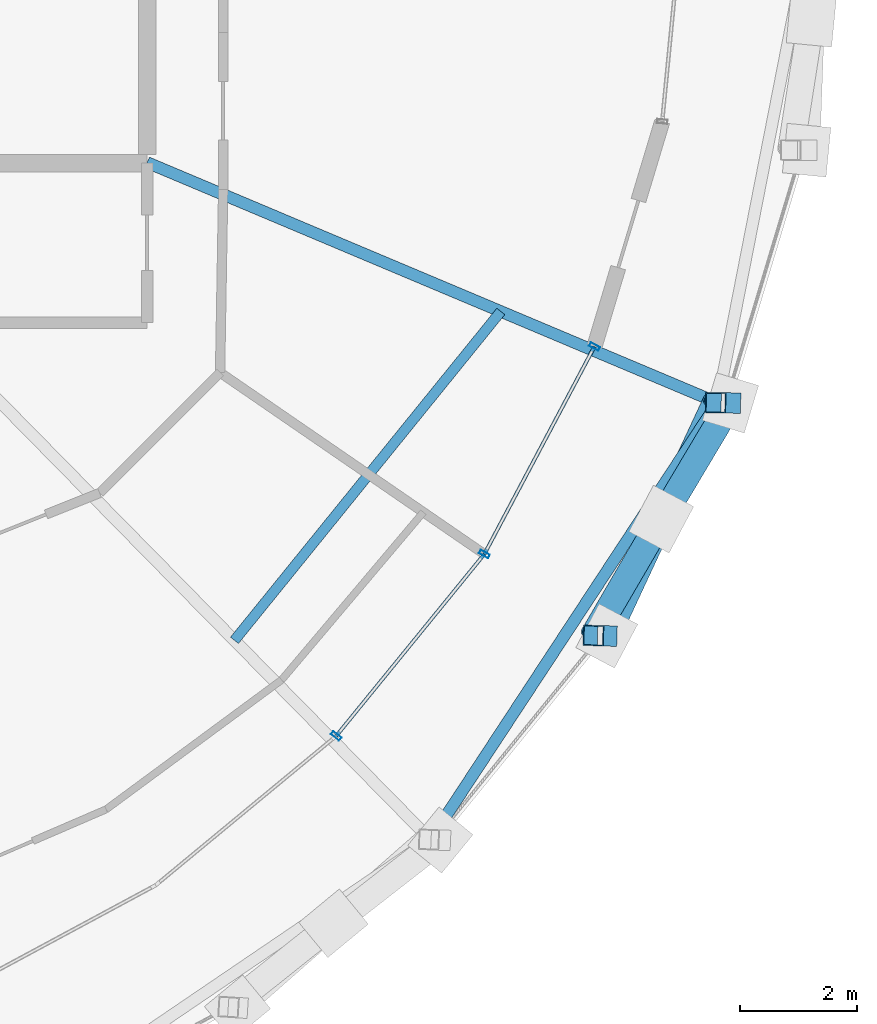
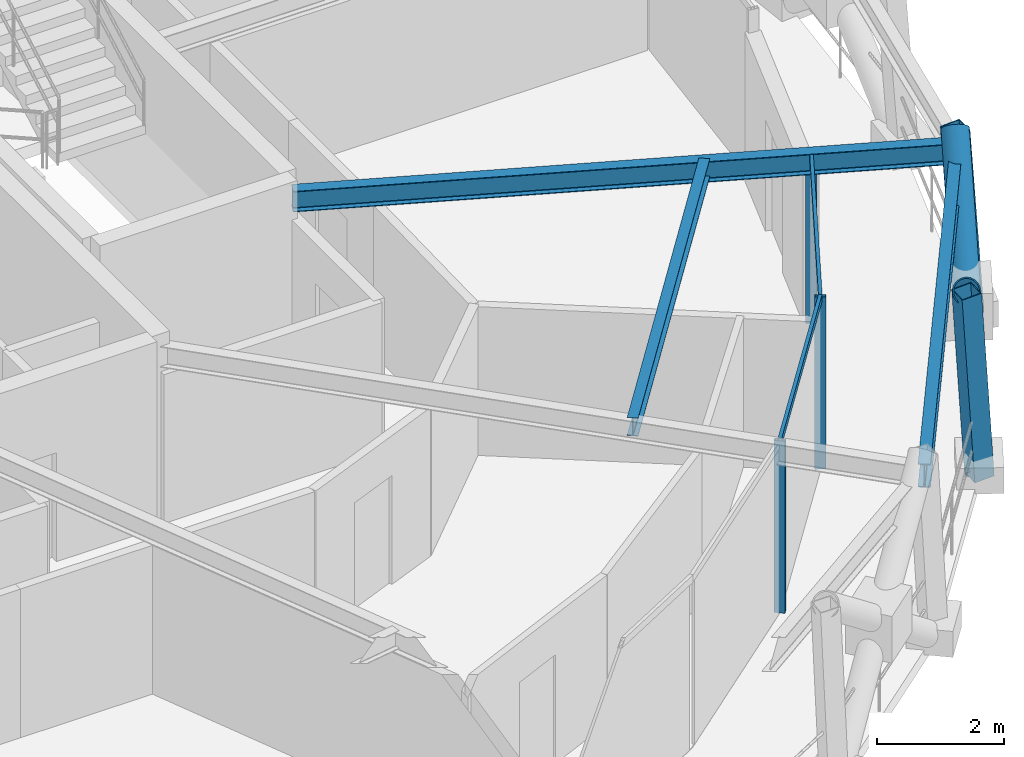
# One storey, part 4 of 15: 10 members, 3 beams, 1 element without a shape of its own.
"""IFC4 building model written with IfcOpenShell, lengths in metres."""

from ifc_helpers import new_model, si_unit, direction, frame, origin, origin_2d, place, context, subcontext, project, spatial, hollow_rectangle, hollow_circle, i_section, extrude, material, layer, layer_set, material_profile, profile_set, type_object, element, aggregate, save


model = new_model("IFC4")

# Units and contexts
model_context = context("Model", 3, precision=1e-05, world=origin(), true_north=direction((0.0, 1.0)))
body_context = subcontext(model_context, "Body", "Model", "MODEL_VIEW")
ifc_project = project(units=[si_unit("LENGTHUNIT", "METRE"), si_unit("AREAUNIT", "SQUARE_METRE"), si_unit("VOLUMEUNIT", "CUBIC_METRE"), si_unit("PLANEANGLEUNIT", "RADIAN"), si_unit("MASSUNIT", "GRAM", prefix="KILO")], contexts=[model_context])

# Site, building, storey
site_placement = place(None, origin())
site = spatial("IfcSite", under=ifc_project, at=site_placement, CompositionType="ELEMENT")
building_placement = place(site_placement, origin())
building = spatial("IfcBuilding", under=site, at=building_placement, Name="Veldorina Hangang Commons", CompositionType="ELEMENT")
storey_placement = place(building_placement, frame((0.0, 0.0, 250.800048828125)))
storey = spatial("IfcBuildingStorey", under=building, at=storey_placement, Name="L65", CompositionType="ELEMENT", Elevation=250.800048828125)

# Beams
ifc_material_1 = material(Name="Steel SM355-TMC", Category="steel")
ifc_material_profile_1 = material_profile(ifc_material_1, i_section(OverallWidth=0.199951171875, OverallDepth=0.39990234375, WebThickness=0.008056640625, FlangeThickness=0.012939453125, FilletRadius=0.012939453125, at=origin_2d()), Name="H-400x200x8x13")
ifc_profile_set_1 = profile_set([ifc_material_profile_1], Name="Steel SM355-TMC")
beam_type_1 = type_object("IfcBeamType", Name="BM-FG400", PredefinedType="BEAM", material=ifc_profile_set_1)
beam_1_placement = place(storey_placement, frame((43.179931640625, 19.291015625, 3.159912109375), z_axis=(0.921597617778, -0.388146661594, 0.0), x_axis=(0.388146661594, 0.921597617778, 0.0)))
element("IfcBeam", 1, at=beam_1_placement, inside=storey, type_object=beam_type_1, Name="L65 radial floor girder 16", PredefinedType="BEAM", context=body_context, shape_type="SweptSolid", body=[
    extrude(i_section(OverallWidth=0.199951171875, OverallDepth=0.39990234375, WebThickness=0.008056640625, FlangeThickness=0.012939453125, FilletRadius=0.012939453125, at=origin_2d()), origin(), (0.0, 0.0, 1.0), 10.59033203125),
])
ifc_material_profile_2 = material_profile(ifc_material_1, i_section(OverallWidth=0.175048828125, OverallDepth=0.35009765625, WebThickness=0.007080078125, FlangeThickness=0.010986328125, FilletRadius=0.012939453125, at=origin_2d()), Name="H-350x175x7x11")
ifc_profile_set_2 = profile_set([ifc_material_profile_2], Name="Steel SM355-TMC")
beam_type_2 = type_object("IfcBeamType", Name="BM-JST350", PredefinedType="JOIST", material=ifc_profile_set_2)
beam_2_placement = place(storey_placement, frame((44.672607421875, 11.114013671875, 3.18505859375), z_axis=(0.62938632576, 0.77709256395, 0.0), x_axis=(-0.77709256395, 0.62938632576, 0.0)))
element("IfcBeam", 2, at=beam_2_placement, inside=storey, type_object=beam_type_2, Name="L65 secondary floor joist 15", PredefinedType="JOIST", context=body_context, shape_type="SweptSolid", body=[
    extrude(i_section(OverallWidth=0.175048828125, OverallDepth=0.35009765625, WebThickness=0.007080078125, FlangeThickness=0.010986328125, FilletRadius=0.012939453125, at=origin_2d()), origin(), (0.0, 0.0, 1.0), 7.242919921875),
])
ifc_material_profile_3 = material_profile(ifc_material_1, i_section(OverallWidth=0.199951171875, OverallDepth=0.449951171875, WebThickness=0.009033203125, FlangeThickness=0.013916015625, FilletRadius=0.01611328125, at=origin_2d()), Name="H-450x200x9x14")
ifc_profile_set_3 = profile_set([ifc_material_profile_3], Name="Steel SM355-TMC")
beam_type_3 = type_object("IfcBeamType", Name="BM-RB450", PredefinedType="BEAM", material=ifc_profile_set_3)
beam_3_placement = place(storey_placement, frame((48.026611328125, 7.703369140625, 3.135009765625), z_axis=(0.549165362874, 0.835713709484, 0.0), x_axis=(-0.835713709484, 0.549165362874, 0.0)))
element("IfcBeam", 3, at=beam_3_placement, inside=storey, type_object=beam_type_3, Name="L65 perimeter hoop ring beam 28", PredefinedType="BEAM", context=body_context, shape_type="SweptSolid", body=[
    extrude(i_section(OverallWidth=0.199951171875, OverallDepth=0.449951171875, WebThickness=0.009033203125, FlangeThickness=0.013916015625, FilletRadius=0.01611328125, at=origin_2d()), origin(), (0.0, 0.0, 1.0), 8.947021484375),
])

# Curtain wall, members
ifc_material_2 = material(Name="Glass Low-E Selective", Category="glass")
ifc_layer = layer(ifc_material_2, 0.179931640625)
ifc_layer_set = layer_set([ifc_layer], Name="Glass Low-E Selective")
curtain_wall_type = type_object("IfcCurtainWallType", Name="CW-SYS-Z3", PredefinedType="NOTDEFINED", material=ifc_layer_set)
curtain_wall_placement = place(storey_placement, origin())
curtain_wall = element("IfcCurtainWall", 4, at=curtain_wall_placement, inside=storey, type_object=curtain_wall_type, Name="L65 unitised curtain wall CW-L65-R1", PredefinedType="NOTDEFINED")
ifc_material_3 = material(Name="Aluminium Anodized AA6063-T6", Category="aluminium")
ifc_material_profile_4 = material_profile(ifc_material_3, hollow_rectangle(XDim=0.070068359375, YDim=0.179931640625, WallThickness=0.00390625, at=origin_2d()), Name="ALU-RHS-180x70x4")
ifc_profile_set_4 = profile_set([ifc_material_profile_4], Name="Aluminium Anodized AA6063-T6")
member_type_1 = type_object("IfcMemberType", Name="CW-MUL-180", PredefinedType="MULLION", material=ifc_profile_set_4)
member_1_placement = place(storey_placement, frame((46.41455078125, 9.477783203125, 0.0), z_axis=(0.0, 0.0, 1.0), x_axis=(0.631569330094, 0.775319405977, 0.0)))
member_1 = element("IfcMember", 5, at=member_1_placement, type_object=member_type_1, Name="CW-L65-R1 vertical mullion 2", PredefinedType="MULLION", context=body_context, shape_type="SweptSolid", body=[
    extrude(hollow_rectangle(XDim=0.070068359375, YDim=0.179931640625, WallThickness=0.00390625, at=origin_2d()), origin(), (0.0, 0.0, 1.0), 3.320068359375),
])
member_2_placement = place(storey_placement, frame((48.94970703125, 12.58984375, 0.0), z_axis=(0.0, 0.0, 1.0), x_axis=(0.468670031731, 0.88337330804, 0.0)))
member_2 = element("IfcMember", 6, at=member_2_placement, type_object=member_type_1, Name="CW-L65-R1 vertical mullion 3", PredefinedType="MULLION", context=body_context, shape_type="SweptSolid", body=[
    extrude(hollow_rectangle(XDim=0.070068359375, YDim=0.179931640625, WallThickness=0.00390625, at=origin_2d()), origin(), (0.0, 0.0, 1.0), 3.320068359375),
])
member_3_placement = place(storey_placement, frame((50.83349609375, 16.140625, 0.0), z_axis=(0.0, 0.0, 1.0), x_axis=(-0.468670031731, -0.88337330804, 0.0)))
member_3 = element("IfcMember", 7, at=member_3_placement, type_object=member_type_1, Name="CW-L65-R1 vertical mullion 4", PredefinedType="MULLION", context=body_context, shape_type="SweptSolid", body=[
    extrude(hollow_rectangle(XDim=0.070068359375, YDim=0.179931640625, WallThickness=0.00390625, at=origin_2d()), origin(), (0.0, 0.0, 1.0), 3.320068359375),
])
ifc_material_profile_5 = material_profile(ifc_material_3, hollow_rectangle(XDim=0.06005859375, YDim=0.139892578125, WallThickness=0.00341796875, at=origin_2d()), Name="ALU-RHS-140x60x3.5")
ifc_profile_set_5 = profile_set([ifc_material_profile_5], Name="Aluminium Anodized AA6063-T6")
member_type_2 = type_object("IfcMemberType", Name="CW-TRN-140", PredefinedType="USERDEFINED", material=ifc_profile_set_5)
member_4_placement = place(storey_placement, frame((46.41455078125, 9.477783203125, 3.280029296875), z_axis=(0.63158359316, 0.775307787173, 0.0), x_axis=(-0.775307787173, 0.63158359316, 0.0)))
member_4 = element("IfcMember", 8, at=member_4_placement, type_object=member_type_2, Name="CW-L65-R1 facet 3 transom 1", ObjectType="TRANSOM", PredefinedType="USERDEFINED", context=body_context, shape_type="SweptSolid", body=[
    extrude(hollow_rectangle(XDim=0.06005859375, YDim=0.139892578125, WallThickness=0.00341796875, at=origin_2d()), origin(), (0.0, 0.0, 1.0), 4.013916015625),
])
member_5_placement = place(storey_placement, frame((48.94970703125, 12.58984375, 3.280029296875), z_axis=(0.468657771763, 0.883379812406, 0.0), x_axis=(-0.883379812406, 0.468657771763, 0.0)))
member_5 = element("IfcMember", 9, at=member_5_placement, type_object=member_type_2, Name="CW-L65-R1 facet 4 transom 1", ObjectType="TRANSOM", PredefinedType="USERDEFINED", context=body_context, shape_type="SweptSolid", body=[
    extrude(hollow_rectangle(XDim=0.06005859375, YDim=0.139892578125, WallThickness=0.00341796875, at=origin_2d()), origin(), (0.0, 0.0, 1.0), 4.01953125),
])
aggregate(curtain_wall, [member_1, member_2, member_3, member_4, member_5])

# Members
ifc_material_profile_6 = material_profile(ifc_material_1, hollow_circle(Radius=0.22509765625, WallThickness=0.02197265625, at=origin_2d()), Name="CHS-450x22")
ifc_profile_set_6 = profile_set([ifc_material_profile_6], Name="Steel SM355-TMC")
member_type_3 = type_object("IfcMemberType", Name="DG-CHS450", PredefinedType="BRACE", material=ifc_profile_set_6)
member_6_placement = place(storey_placement, frame((51.044921875, 11.18994140625, 0.0), z_axis=(0.32736300695, 0.701639317506, 0.63287892192), x_axis=(-0.906217127206, 0.422812627956, 0.0)))
element("IfcMember", 10, at=member_6_placement, inside=storey, type_object=member_type_3, Name="L65 continuous perimeter diagrid brace 29", PredefinedType="BRACE", context=body_context, shape_type="SweptSolid", body=[
    extrude(hollow_circle(Radius=0.22509765625, WallThickness=0.02197265625, at=origin_2d()), origin(), (0.0, 0.0, 1.0), 5.68798828125),
])
member_7_placement = place(storey_placement, frame((53.16162109375, 15.17626953125, 0.0), z_axis=(-0.403762665165, -0.677682049016, 0.614591531556), x_axis=(0.859080814434, -0.511839969396, 0.0)))
element("IfcMember", 11, at=member_7_placement, inside=storey, type_object=member_type_3, Name="L65 split perimeter diagrid lower brace 30", PredefinedType="BRACE", context=body_context, shape_type="SweptSolid", body=[
    extrude(hollow_circle(Radius=0.22509765625, WallThickness=0.02197265625, at=origin_2d()), origin(), (0.0, 0.0, 1.0), 2.93310546875),
])
member_8_placement = place(storey_placement, frame((51.977294921875, 13.1884765625, 1.802734375), z_axis=(-0.39726915674, -0.681378820653, 0.614735813068), x_axis=(0.863890247786, -0.503680096669, 0.0)))
element("IfcMember", 12, at=member_8_placement, inside=storey, type_object=member_type_3, Name="L65 split perimeter diagrid upper brace 30", PredefinedType="BRACE", context=body_context, shape_type="SweptSolid", body=[
    extrude(hollow_circle(Radius=0.22509765625, WallThickness=0.02197265625, at=origin_2d()), origin(), (0.0, 0.0, 1.0), 2.92333984375),
])
ifc_material_profile_7 = material_profile(ifc_material_1, hollow_rectangle(XDim=0.35009765625, YDim=0.35009765625, WallThickness=0.01611328125, at=origin_2d()), Name="SHS-350x350x16")
ifc_profile_set_7 = profile_set([ifc_material_profile_7], Name="Steel SM355-TMC")
member_type_4 = type_object("IfcMemberType", Name="STR-SHS350", PredefinedType="STRUT", material=ifc_profile_set_7)
member_9_placement = place(storey_placement, frame((51.044921875, 11.18994140625, 0.0), z_axis=(-0.063486348579, 0.001827432209, 0.997981033906), x_axis=(-0.028772730747, -0.999585979276, 0.0)))
element("IfcMember", 13, at=member_9_placement, inside=storey, type_object=member_type_4, Name="L65 perimeter ring node post 29", PredefinedType="STRUT", context=body_context, shape_type="SweptSolid", body=[
    extrude(hollow_rectangle(XDim=0.35009765625, YDim=0.35009765625, WallThickness=0.01611328125, at=origin_2d()), origin(), (0.0, 0.0, 1.0), 3.607177734375),
])
member_10_placement = place(storey_placement, frame((53.16162109375, 15.17626953125, 0.0), z_axis=(-0.070559480211, 0.001285359659, 0.997506745643), x_axis=(-0.018213660818, -0.999834117521, 0.0)))
element("IfcMember", 14, at=member_10_placement, inside=storey, type_object=member_type_4, Name="L65 perimeter ring node post 30", PredefinedType="STRUT", context=body_context, shape_type="SweptSolid", body=[
    extrude(hollow_rectangle(XDim=0.35009765625, YDim=0.35009765625, WallThickness=0.01611328125, at=origin_2d()), origin(), (0.0, 0.0, 1.0), 3.60888671875),
])

save(model, "model.ifc")
